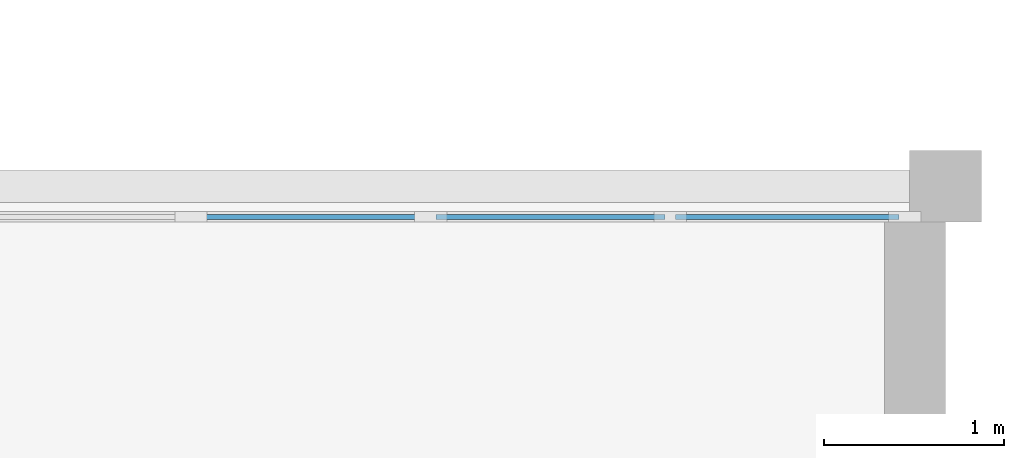
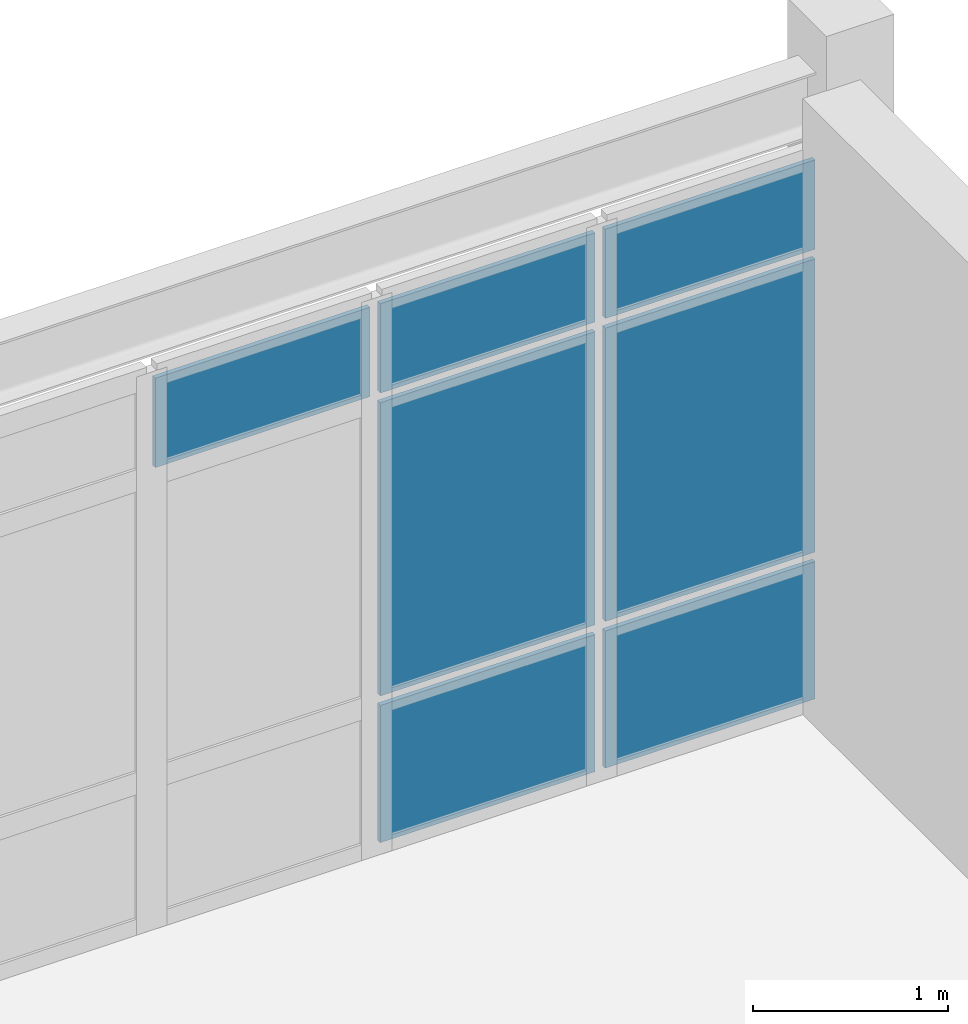
# One storey, part 121 of 147: 7 plates, 1 element without a shape of its own.
"""IFC4 building model written with IfcOpenShell, lengths in metres."""

from ifc_helpers import new_model, si_unit, direction, frame, origin, origin_2d, place, context, subcontext, project, spatial, rectangle, extrude, material, layer, layer_set, type_object, element, aggregate, save


model = new_model("IFC4")

# Units and contexts
model_context = context("Model", 3, precision=1e-05, world=origin(), true_north=direction((0.0, 1.0)))
body_context = subcontext(model_context, "Body", "Model", "MODEL_VIEW")
ifc_project = project(units=[si_unit("LENGTHUNIT", "METRE"), si_unit("AREAUNIT", "SQUARE_METRE"), si_unit("VOLUMEUNIT", "CUBIC_METRE"), si_unit("PLANEANGLEUNIT", "RADIAN"), si_unit("MASSUNIT", "GRAM", prefix="KILO")], contexts=[model_context])

# Site, building, storey
site_placement = place(None, origin())
site = spatial("IfcSite", under=ifc_project, at=site_placement, CompositionType="ELEMENT")
building_placement = place(site_placement, origin())
building = spatial("IfcBuilding", under=site, at=building_placement, Name="Malvenik Polytechnic", CompositionType="ELEMENT")
storey_placement = place(building_placement, frame((0.0, 0.0, 5.10009765625)))
storey = spatial("IfcBuildingStorey", under=building, at=storey_placement, Name="L01", CompositionType="ELEMENT", Elevation=5.10009765625)

# Curtain wall, plates
ifc_material_1 = material(Name="Anodised aluminium 6060-T6", Category="aluminium")
curtain_wall_type = type_object("IfcCurtainWallType", Name="ARC-CW-CW-02", PredefinedType="NOTDEFINED", material=ifc_material_1)
curtain_wall_placement = place(storey_placement, origin())
curtain_wall = element("IfcCurtainWall", 1, at=curtain_wall_placement, inside=storey, type_object=curtain_wall_type, Name="Unitised Curtain Wall CW-02 L01 #70", PredefinedType="NOTDEFINED")
ifc_material_2 = material(Name="Insulated low-E double glazing 8-16-8", Category="glass")
ifc_layer_1 = layer(ifc_material_2, 0.028076171875)
ifc_layer_set_1 = layer_set([ifc_layer_1], Name="Insulated low-E double glazing 8-16-8")
plate_type_1 = type_object("IfcPlateType", Name="ARC-CWP-CP-GLZ28", PredefinedType="CURTAIN_PANEL", material=ifc_layer_set_1)
plate_1_placement = place(storey_placement, frame((181.26708984375, 107.830078125, 2.8779296875), z_axis=(0.0, 0.0, 1.0), x_axis=(1.0, 0.0, 0.0)))
plate_1 = element("IfcPlate", 2, at=plate_1_placement, type_object=plate_type_1, Name="CW-02 panel 4.3", PredefinedType="CURTAIN_PANEL", context=body_context, shape_type="SweptSolid", body=[
    extrude(rectangle(XDim=1.27392578125, YDim=0.028076171875, at=origin_2d()), origin(), (0.0, 0.0, 1.0), 0.56005859375),
])
plate_2_placement = place(storey_placement, frame((182.60107421875, 107.830078125, 0.97998046875), z_axis=(0.0, 0.0, 1.0), x_axis=(1.0, 0.0, 0.0)))
plate_2 = element("IfcPlate", 3, at=plate_2_placement, type_object=plate_type_1, Name="CW-02 panel 5.2", PredefinedType="CURTAIN_PANEL", context=body_context, shape_type="SweptSolid", body=[
    extrude(rectangle(XDim=1.27392578125, YDim=0.028076171875, at=origin_2d()), origin(), (0.0, 0.0, 1.0), 1.837890625),
])
plate_3_placement = place(storey_placement, frame((182.60107421875, 107.830078125, 2.8779296875), z_axis=(0.0, 0.0, 1.0), x_axis=(1.0, 0.0, 0.0)))
plate_3 = element("IfcPlate", 4, at=plate_3_placement, type_object=plate_type_1, Name="CW-02 panel 5.3", PredefinedType="CURTAIN_PANEL", context=body_context, shape_type="SweptSolid", body=[
    extrude(rectangle(XDim=1.27392578125, YDim=0.028076171875, at=origin_2d()), origin(), (0.0, 0.0, 1.0), 0.56005859375),
])
plate_4_placement = place(storey_placement, frame((183.919921875, 107.830078125, 0.97998046875), z_axis=(0.0, 0.0, 1.0), x_axis=(1.0, 0.0, 0.0)))
plate_4 = element("IfcPlate", 5, at=plate_4_placement, type_object=plate_type_1, Name="CW-02 panel 6.2", PredefinedType="CURTAIN_PANEL", context=body_context, shape_type="SweptSolid", body=[
    extrude(rectangle(XDim=1.243896484375, YDim=0.028076171875, at=origin_2d()), origin(), (0.0, 0.0, 1.0), 1.837890625),
])
plate_5_placement = place(storey_placement, frame((183.919921875, 107.830078125, 2.8779296875), z_axis=(0.0, 0.0, 1.0), x_axis=(1.0, 0.0, 0.0)))
plate_5 = element("IfcPlate", 6, at=plate_5_placement, type_object=plate_type_1, Name="CW-02 panel 6.3", PredefinedType="CURTAIN_PANEL", context=body_context, shape_type="SweptSolid", body=[
    extrude(rectangle(XDim=1.243896484375, YDim=0.028076171875, at=origin_2d()), origin(), (0.0, 0.0, 1.0), 0.56005859375),
])
ifc_material_3 = material(Name="Insulated aluminium spandrel cassette 42mm", Category="aluminium")
ifc_layer_2 = layer(ifc_material_3, 0.0419921875)
ifc_layer_set_2 = layer_set([ifc_layer_2], Name="Insulated aluminium spandrel cassette 42mm")
plate_type_2 = type_object("IfcPlateType", Name="ARC-CWP-CP-SPN42", PredefinedType="CURTAIN_PANEL", material=ifc_layer_set_2)
plate_6_placement = place(storey_placement, frame((182.60107421875, 107.830078125, 0.06005859375), z_axis=(0.0, 0.0, 1.0), x_axis=(1.0, 0.0, 0.0)))
plate_6 = element("IfcPlate", 7, at=plate_6_placement, type_object=plate_type_2, Name="CW-02 panel 5.1", PredefinedType="CURTAIN_PANEL", context=body_context, shape_type="SweptSolid", body=[
    extrude(rectangle(XDim=1.27392578125, YDim=0.028076171875, at=origin_2d()), origin(), (0.0, 0.0, 1.0), 0.860107421875),
])
plate_7_placement = place(storey_placement, frame((183.919921875, 107.830078125, 0.06005859375), z_axis=(0.0, 0.0, 1.0), x_axis=(1.0, 0.0, 0.0)))
plate_7 = element("IfcPlate", 8, at=plate_7_placement, type_object=plate_type_2, Name="CW-02 panel 6.1", PredefinedType="CURTAIN_PANEL", context=body_context, shape_type="SweptSolid", body=[
    extrude(rectangle(XDim=1.243896484375, YDim=0.028076171875, at=origin_2d()), origin(), (0.0, 0.0, 1.0), 0.860107421875),
])
aggregate(curtain_wall, [plate_1, plate_6, plate_2, plate_3, plate_7, plate_4, plate_5])

save(model, "model.ifc")
